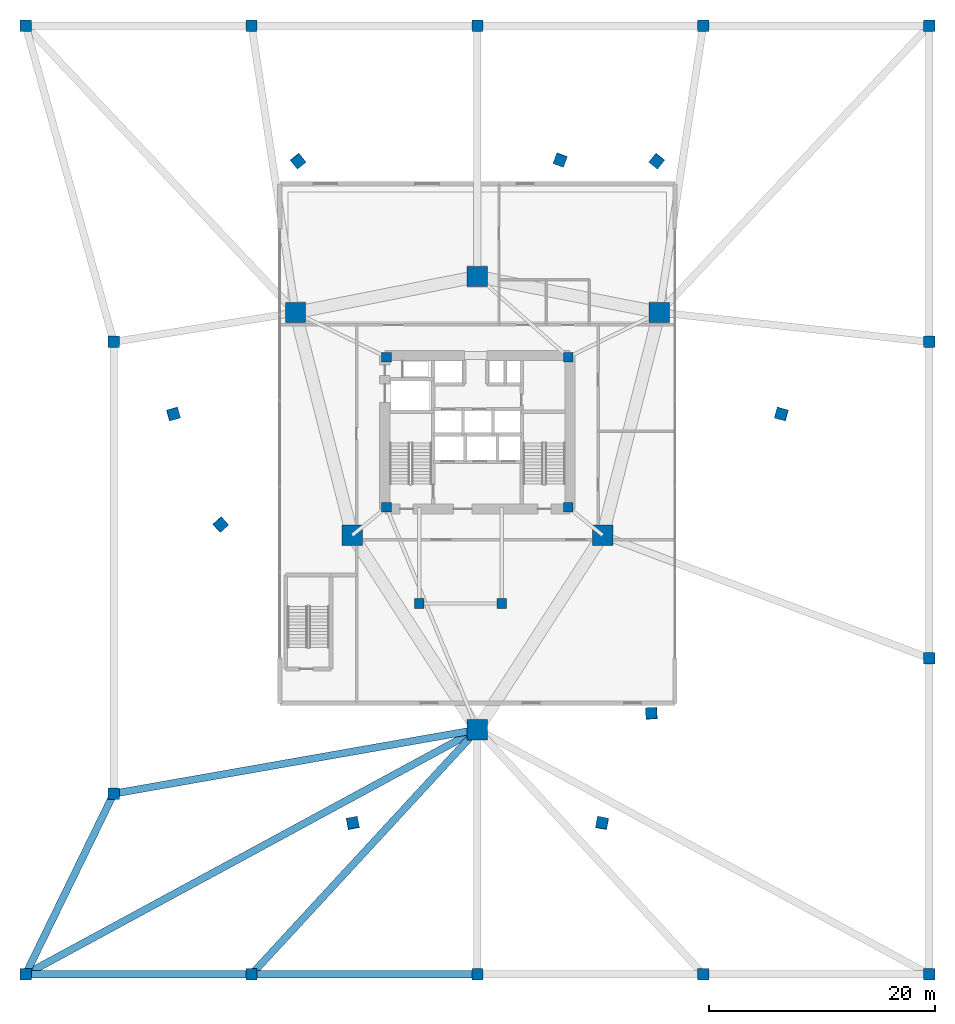
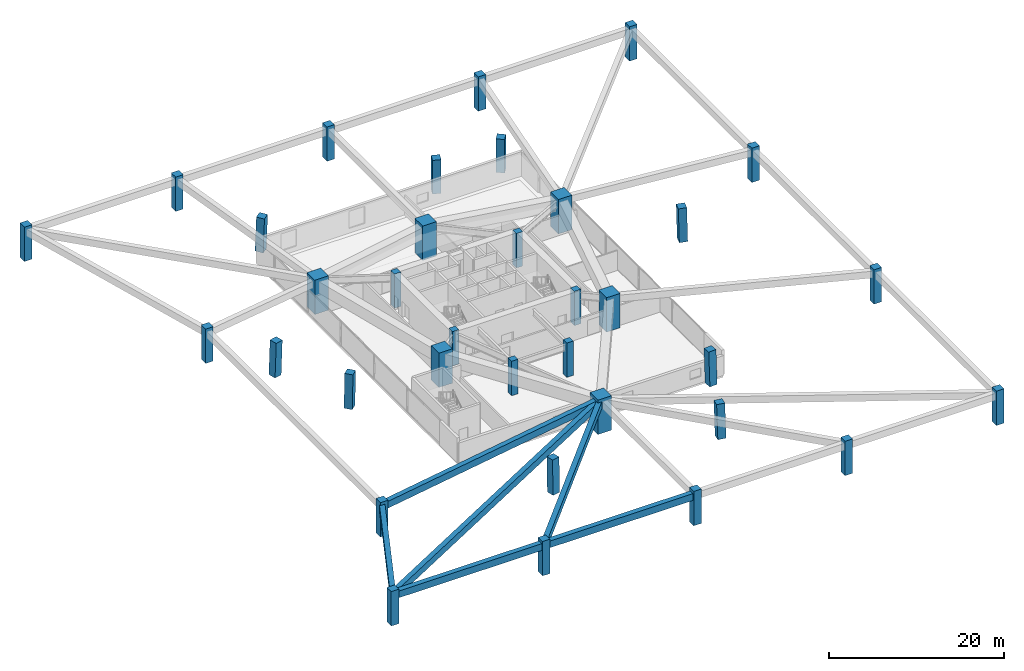
# One storey, part 1 of 15: 35 columns, 6 beams.
"""IFC4 building model written with IfcOpenShell, lengths in metres."""

from ifc_helpers import new_model, si_unit, direction, frame, origin, origin_2d, place, context, subcontext, project, spatial, rectangle, extrude, material, material_profile, profile_set, type_object, element, save


model = new_model("IFC4")

# Units and contexts
model_context = context("Model", 3, precision=1e-05, world=origin(), true_north=direction((0.0, 1.0)))
body_context = subcontext(model_context, "Body", "Model", "MODEL_VIEW")
ifc_project = project(units=[si_unit("LENGTHUNIT", "METRE"), si_unit("AREAUNIT", "SQUARE_METRE"), si_unit("VOLUMEUNIT", "CUBIC_METRE"), si_unit("PLANEANGLEUNIT", "RADIAN"), si_unit("MASSUNIT", "GRAM", prefix="KILO")], contexts=[model_context])

# Site, building, storey
site_placement = place(None, origin())
site = spatial("IfcSite", under=ifc_project, at=site_placement, CompositionType="ELEMENT")
building_placement = place(site_placement, origin())
building = spatial("IfcBuilding", under=site, at=building_placement, Name="Talyreon Biosciences Tower", CompositionType="ELEMENT")
storey_placement = place(building_placement, frame((0.0, 0.0, 5.39990234375)))
storey = spatial("IfcBuildingStorey", under=building, at=storey_placement, Name="L01", CompositionType="ELEMENT", Elevation=5.39990234375)

# Columns
ifc_material_1 = material(Name="Concrete C60/75", Category="concrete")
ifc_material_profile_1 = material_profile(ifc_material_1, rectangle(XDim=1.800048828125, YDim=1.800048828125, at=origin_2d()), Name="RC 1800x1800")
ifc_profile_set_1 = profile_set([ifc_material_profile_1], Name="Concrete C60/75")
column_type_1 = type_object("IfcColumnType", Name="MegaColumn_1800", PredefinedType="COLUMN", material=ifc_profile_set_1)
for number, where, z_axis, x_axis, name in (
    (1, (66.0, 41.6669921875, 0.0), (0.0, 0.0, 1.0), (1.0, 0.0, 0.0), "L01 Composite Mega-Column MC1"),
    (2, (82.102294921875, 78.5986328125, 0.0), (0.0, 0.0, 1.0), (1.0, 0.0, 0.0), "L01 Composite Mega-Column MC2"),
    (3, (49.897705078125, 78.5986328125, 0.0), (0.0, 0.0, 1.0), (1.0, 0.0, 0.0), "L01 Composite Mega-Column MC3"),
    (4, (77.086181640625, 58.88037109375, 0.0), (0.0, 0.0, 1.0), (1.0, 0.0, 0.0), "L01 Composite Mega-Column MC4"),
    (5, (66.0, 81.788818359375, 0.0), (0.0, 0.0, 1.0), (1.0, 0.0, 0.0), "L01 Composite Mega-Column MC5"),
    (6, (54.913818359375, 58.88037109375, 0.0), (0.0, 0.0, 1.0), (1.0, 0.0, 0.0), "L01 Composite Mega-Column MC6"),
):
    element("IfcColumn", number, at=place(storey_placement, frame(where, z_axis=z_axis, x_axis=x_axis)), inside=storey, type_object=column_type_1, Name=name, PredefinedType="COLUMN", context=body_context, shape_type="SweptSolid", body=[
        extrude(rectangle(XDim=1.800048828125, YDim=1.800048828125, at=origin_2d()), origin(), (0.0, 0.0, 1.0), 4.800048828125),
    ])
ifc_material_profile_2 = material_profile(ifc_material_1, rectangle(XDim=0.85009765625, YDim=0.85009765625, at=origin_2d()), Name="RC 850x850")
ifc_profile_set_2 = profile_set([ifc_material_profile_2], Name="Concrete C60/75")
column_type_2 = type_object("IfcColumnType", Name="PerimeterColumn_850", PredefinedType="COLUMN", material=ifc_profile_set_2)
for number, where, z_axis, x_axis, name in (
    (7, (57.949951171875, 61.35009765625, 0.0), (0.0, 0.0, 1.0), (1.0, 0.0, 0.0), "L01 Core Column CC1"),
    (8, (74.050048828125, 61.35009765625, 0.0), (0.0, 0.0, 1.0), (1.0, 0.0, 0.0), "L01 Core Column CC2"),
    (9, (74.050048828125, 74.64990234375, 0.0), (0.0, 0.0, 1.0), (1.0, 0.0, 0.0), "L01 Core Column CC3"),
    (10, (57.949951171875, 74.64990234375, 0.0), (0.0, 0.0, 1.0), (1.0, 0.0, 0.0), "L01 Core Column CC4"),
    (11, (60.85009765625, 52.840087890625, 0.0), (0.0, 0.0, 1.0), (1.0, 0.0, 0.0), "L01 Core Column CSW"),
    (12, (68.14990234375, 52.840087890625, 0.0), (0.0, 0.0, 1.0), (1.0, 0.0, 0.0), "L01 Core Column CSE"),
):
    element("IfcColumn", number, at=place(storey_placement, frame(where, z_axis=z_axis, x_axis=x_axis)), inside=storey, type_object=column_type_2, Name=name, PredefinedType="COLUMN", context=body_context, shape_type="SweptSolid", body=[
        extrude(rectangle(XDim=0.85009765625, YDim=0.85009765625, at=origin_2d()), origin(), (0.0, 0.0, 1.0), 4.800048828125),
    ])
ifc_material_profile_3 = material_profile(ifc_material_1, rectangle(XDim=1.0, YDim=1.0, at=origin_2d()), Name="RC 1000x1000")
ifc_profile_set_3 = profile_set([ifc_material_profile_3], Name="Concrete C60/75")
column_type_3 = type_object("IfcColumnType", Name="PodiumColumn_1000", PredefinedType="COLUMN", material=ifc_profile_set_3)
for number, where, z_axis, x_axis, name in (
    (13, (26.0, 20.0, 0.0), (0.0, 0.0, 1.0), (1.0, 0.0, 0.0), "L01 Podium Pilotis Column PDC01"),
    (14, (46.0, 20.0, 0.0), (0.0, 0.0, 1.0), (1.0, 0.0, 0.0), "L01 Podium Pilotis Column PDC02"),
    (15, (66.0, 20.0, 0.0), (0.0, 0.0, 1.0), (1.0, 0.0, 0.0), "L01 Podium Pilotis Column PDC03"),
    (16, (86.0, 20.0, 0.0), (0.0, 0.0, 1.0), (1.0, 0.0, 0.0), "L01 Podium Pilotis Column PDC04"),
    (17, (106.0, 20.0, 0.0), (0.0, 0.0, 1.0), (1.0, 0.0, 0.0), "L01 Podium Pilotis Column PDC05"),
    (18, (106.0, 48.0, 0.0), (0.0, 0.0, 1.0), (1.0, 0.0, 0.0), "L01 Podium Pilotis Column PDC06"),
    (19, (106.0, 76.0, 0.0), (0.0, 0.0, 1.0), (1.0, 0.0, 0.0), "L01 Podium Pilotis Column PDC07"),
    (20, (106.0, 104.0, 0.0), (0.0, 0.0, 1.0), (1.0, 0.0, 0.0), "L01 Podium Pilotis Column PDC08"),
    (21, (86.0, 104.0, 0.0), (0.0, 0.0, 1.0), (1.0, 0.0, 0.0), "L01 Podium Pilotis Column PDC09"),
    (22, (66.0, 104.0, 0.0), (0.0, 0.0, 1.0), (1.0, 0.0, 0.0), "L01 Podium Pilotis Column PDC10"),
    (23, (46.0, 104.0, 0.0), (0.0, 0.0, 1.0), (1.0, 0.0, 0.0), "L01 Podium Pilotis Column PDC11"),
    (24, (26.0, 104.0, 0.0), (0.0, 0.0, 1.0), (1.0, 0.0, 0.0), "L01 Podium Pilotis Column PDC12"),
    (25, (33.800048828125, 76.0, 0.0), (0.0, 0.0, 1.0), (1.0, 0.0, 0.0), "L01 Podium Pilotis Column PDC13"),
    (26, (33.800048828125, 36.0, 0.0), (0.0, 0.0, 1.0), (1.0, 0.0, 0.0), "L01 Podium Pilotis Column PDC14"),
):
    element("IfcColumn", number, at=place(storey_placement, frame(where, z_axis=z_axis, x_axis=x_axis)), inside=storey, type_object=column_type_3, Name=name, PredefinedType="COLUMN", context=body_context, shape_type="SweptSolid", body=[
        extrude(rectangle(XDim=1.0, YDim=1.0, at=origin_2d()), origin(), (0.0, 0.0, 1.0), 4.800048828125),
    ])
column_1_placement = place(storey_placement, frame((77.0419921875, 33.3759765625, 0.003173828125), z_axis=(-0.009362092432, 0.041417082825, 0.999098081509), x_axis=(-0.18990620469, -0.981031756875, 0.03888862846)))
element("IfcColumn", 27, at=column_1_placement, inside=storey, type_object=column_type_3, Name="L01 Tapering Perimeter Column PC-SE1", PredefinedType="COLUMN", context=body_context, shape_type="SweptSolid", body=[
    extrude(rectangle(XDim=1.0, YDim=1.0, at=origin_2d()), origin(), (0.0, 0.0, 1.0), 4.79833984375),
])
column_2_placement = place(storey_placement, frame((81.4111328125, 43.09228515625, 0.003173828125), z_axis=(-0.014913586893, 0.02911457919, 0.999464819893), x_axis=(0.059940758513, -0.997752252648, 0.029959102198)))
element("IfcColumn", 28, at=column_2_placement, inside=storey, type_object=column_type_3, Name="L01 Tapering Perimeter Column PL-SE", PredefinedType="COLUMN", context=body_context, shape_type="SweptSolid", body=[
    extrude(rectangle(XDim=1.0, YDim=1.0, at=origin_2d()), origin(), (0.0, 0.0, 1.0), 4.796630859375),
])
column_3_placement = place(storey_placement, frame((92.93017578125, 69.614013671875, 0.003173828125), z_axis=(-0.029829585533, -0.004326817014, 0.999545634016), x_axis=(0.96358739589, -0.26596481878, 0.027605174394)))
element("IfcColumn", 29, at=column_3_placement, inside=storey, type_object=column_type_3, Name="L01 Tapering Perimeter Column PC-SE2", PredefinedType="COLUMN", context=body_context, shape_type="SweptSolid", body=[
    extrude(rectangle(XDim=1.0, YDim=1.0, at=origin_2d()), origin(), (0.0, 0.0, 1.0), 4.796142578125),
])
column_4_placement = place(storey_placement, frame((81.887939453125, 92.015625, 0.003173828125), z_axis=(-0.020410777749, -0.025500747262, 0.999466413663), x_axis=(-0.780716755404, 0.624885067698, 0.0)))
element("IfcColumn", 30, at=column_4_placement, inside=storey, type_object=column_type_3, Name="L01 Tapering Perimeter Column PC-N1", PredefinedType="COLUMN", context=body_context, shape_type="SweptSolid", body=[
    extrude(rectangle(XDim=1.0, YDim=1.0, at=origin_2d()), origin(), (0.0, 0.0, 1.0), 4.79638671875),
])
column_5_placement = place(storey_placement, frame((73.3330078125, 92.115478515625, 0.003173828125), z_axis=(-0.009468903722, -0.025454042263, 0.999631147771), x_axis=(-0.937250343901, 0.348657127931, 0.0)))
element("IfcColumn", 31, at=column_5_placement, inside=storey, type_object=column_type_3, Name="L01 Tapering Perimeter Column PL-N", PredefinedType="COLUMN", context=body_context, shape_type="SweptSolid", body=[
    extrude(rectangle(XDim=1.0, YDim=1.0, at=origin_2d()), origin(), (0.0, 0.0, 1.0), 4.795654296875),
])
column_6_placement = place(storey_placement, frame((50.112060546875, 92.015625, 0.003173828125), z_axis=(0.020410777749, -0.025500747262, 0.999466413663), x_axis=(-0.780716755404, -0.624885067698, 0.0)))
element("IfcColumn", 32, at=column_6_placement, inside=storey, type_object=column_type_3, Name="L01 Tapering Perimeter Column PC-N2", PredefinedType="COLUMN", context=body_context, shape_type="SweptSolid", body=[
    extrude(rectangle(XDim=1.0, YDim=1.0, at=origin_2d()), origin(), (0.0, 0.0, 1.0), 4.79638671875),
])
column_7_placement = place(storey_placement, frame((39.06982421875, 69.614013671875, 0.003173828125), z_axis=(0.029829585533, -0.004326817014, 0.999545634016), x_axis=(0.96358739589, 0.26596481878, -0.027605174394)))
element("IfcColumn", 33, at=column_7_placement, inside=storey, type_object=column_type_3, Name="L01 Tapering Perimeter Column PC-SW1", PredefinedType="COLUMN", context=body_context, shape_type="SweptSolid", body=[
    extrude(rectangle(XDim=1.0, YDim=1.0, at=origin_2d()), origin(), (0.0, 0.0, 1.0), 4.796142578125),
])
column_8_placement = place(storey_placement, frame((43.255859375, 59.8173828125, 0.003173828125), z_axis=(0.024335056571, 0.00799289515, 0.999671905501), x_axis=(0.744528650704, 0.667178226335, -0.023458529057)))
element("IfcColumn", 34, at=column_8_placement, inside=storey, type_object=column_type_3, Name="L01 Tapering Perimeter Column PL-SW", PredefinedType="COLUMN", context=body_context, shape_type="SweptSolid", body=[
    extrude(rectangle(XDim=1.0, YDim=1.0, at=origin_2d()), origin(), (0.0, 0.0, 1.0), 4.79541015625),
])
column_9_placement = place(storey_placement, frame((54.9580078125, 33.3759765625, 0.003173828125), z_axis=(0.009362092432, 0.041417082825, 0.999098081509), x_axis=(-0.18990620469, 0.981031756875, -0.03888862846)))
element("IfcColumn", 35, at=column_9_placement, inside=storey, type_object=column_type_3, Name="L01 Tapering Perimeter Column PC-SW2", PredefinedType="COLUMN", context=body_context, shape_type="SweptSolid", body=[
    extrude(rectangle(XDim=1.0, YDim=1.0, at=origin_2d()), origin(), (0.0, 0.0, 1.0), 4.79833984375),
])

# Beams
ifc_material_2 = material(Name="Concrete C50/60", Category="concrete")
ifc_material_profile_4 = material_profile(ifc_material_2, rectangle(XDim=0.64990234375, YDim=0.949951171875, at=origin_2d()), Name="RCB 650x950")
ifc_profile_set_4 = profile_set([ifc_material_profile_4], Name="Concrete C50/60")
beam_type = type_object("IfcBeamType", Name="PodiumGirder_650x950", PredefinedType="T_BEAM", material=ifc_profile_set_4)
for number, where, z_axis, x_axis, name in (
    (36, (26.0, 20.0, 3.925048828125), (1.0, 0.0, 0.0), (0.0, 1.0, 0.0), "L01 Podium Perimeter Ring Girder 01"),
    (37, (46.0, 20.0, 3.925048828125), (1.0, 0.0, 0.0), (0.0, 1.0, 0.0), "L01 Podium Perimeter Ring Girder 02"),
):
    element("IfcBeam", number, at=place(storey_placement, frame(where, z_axis=z_axis, x_axis=x_axis)), inside=storey, type_object=beam_type, Name=name, PredefinedType="T_BEAM", context=body_context, shape_type="SweptSolid", body=[
        extrude(rectangle(XDim=0.64990234375, YDim=0.949951171875, at=origin_2d()), origin(), (0.0, 0.0, 1.0), 20.0),
    ])
beam_1_placement = place(storey_placement, frame((33.800048828125, 36.0, 3.925048828125), z_axis=(-0.438204463597, -0.898875323993, 0.0), x_axis=(0.898875323993, -0.438204463597, 0.0)))
element("IfcBeam", 38, at=beam_1_placement, inside=storey, type_object=beam_type, Name="L01 Podium Perimeter Ring Girder 14", PredefinedType="T_BEAM", context=body_context, shape_type="SweptSolid", body=[
    extrude(rectangle(XDim=0.64990234375, YDim=0.949951171875, at=origin_2d()), origin(), (0.0, 0.0, 1.0), 17.800048828125),
])
beam_2_placement = place(storey_placement, frame((66.0, 41.6669921875, 3.925048828125), z_axis=(-0.879288969782, -0.47628868097, 0.0), x_axis=(0.47628868097, -0.879288969782, 0.0)))
element("IfcBeam", 39, at=beam_2_placement, inside=storey, type_object=beam_type, Name="L01 Podium Radial Tie Girder PDC01", PredefinedType="T_BEAM", context=body_context, shape_type="SweptSolid", body=[
    extrude(rectangle(XDim=0.64990234375, YDim=0.949951171875, at=origin_2d()), origin(), (0.0, 0.0, 1.0), 45.4912109375),
])
beam_3_placement = place(storey_placement, frame((66.0, 41.6669921875, 3.925048828125), z_axis=(-0.678274600536, -0.73480852354, 0.0), x_axis=(0.73480852354, -0.678274600536, 0.0)))
element("IfcBeam", 40, at=beam_3_placement, inside=storey, type_object=beam_type, Name="L01 Podium Radial Tie Girder PDC02", PredefinedType="T_BEAM", context=body_context, shape_type="SweptSolid", body=[
    extrude(rectangle(XDim=0.64990234375, YDim=0.949951171875, at=origin_2d()), origin(), (0.0, 0.0, 1.0), 29.486572265625),
])
beam_4_placement = place(storey_placement, frame((66.0, 41.6669921875, 3.925048828125), z_axis=(-0.984863814232, -0.173329938024, 0.0), x_axis=(0.173329938024, -0.984863814232, 0.0)))
element("IfcBeam", 41, at=beam_4_placement, inside=storey, type_object=beam_type, Name="L01 Podium Radial Tie Girder PDC14", PredefinedType="T_BEAM", context=body_context, shape_type="SweptSolid", body=[
    extrude(rectangle(XDim=0.64990234375, YDim=0.949951171875, at=origin_2d()), origin(), (0.0, 0.0, 1.0), 32.69482421875),
])

save(model, "model.ifc")
